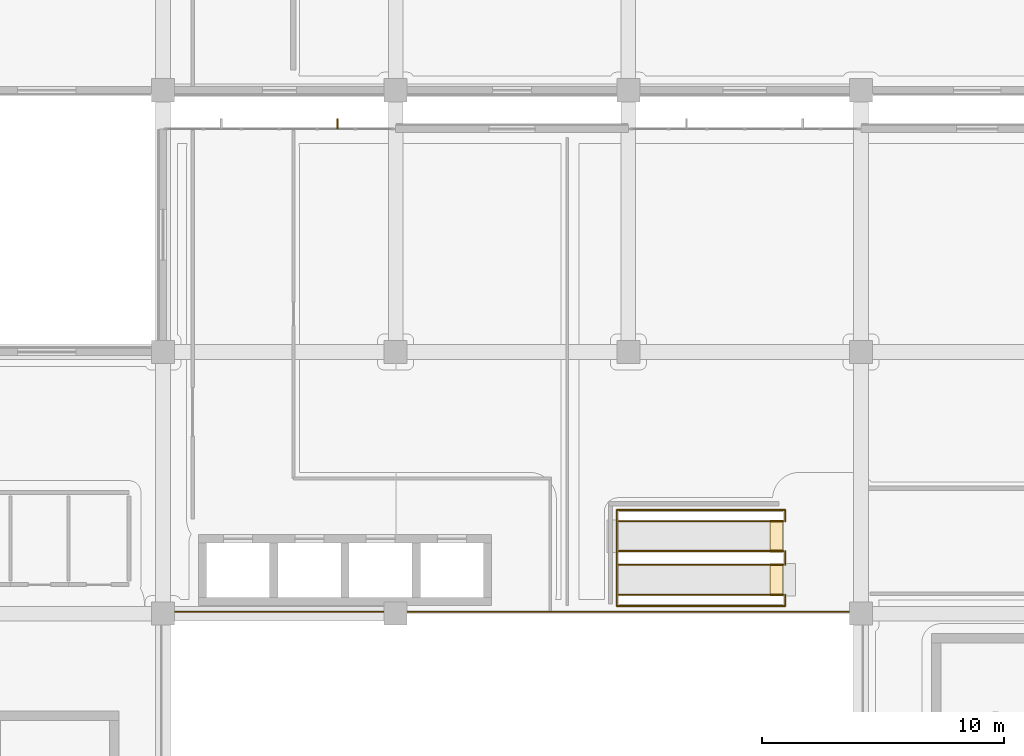
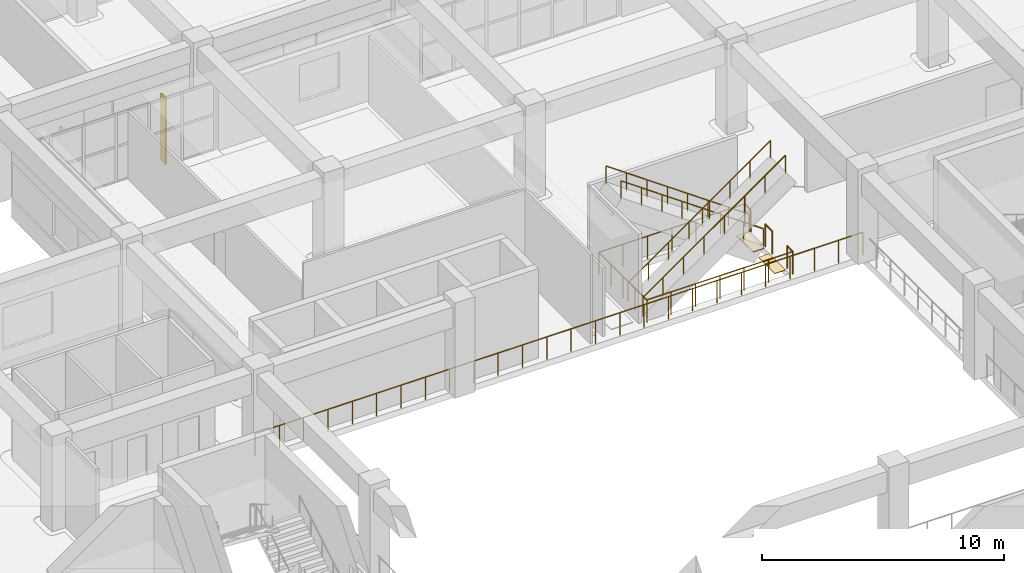
# One storey, part 70 of 86: 11 railings, 2 coverings, 1 shading device.
"""IFC4 building model written with IfcOpenShell, lengths in metres."""

from ifc_helpers import new_model, si_unit, direction, frame, origin, origin_2d, place, context, subcontext, project, spatial, polyline, rectangle, circle, outline, extrude, material, layer, layer_set, type_object, element, save


model = new_model("IFC4")

# Units and contexts
model_context = context("Model", 3, precision=1e-05, world=origin(), true_north=direction((0.0, 1.0)))
body_context = subcontext(model_context, "Body", "Model", "MODEL_VIEW")
ifc_project = project(units=[si_unit("LENGTHUNIT", "METRE"), si_unit("AREAUNIT", "SQUARE_METRE"), si_unit("VOLUMEUNIT", "CUBIC_METRE"), si_unit("PLANEANGLEUNIT", "RADIAN"), si_unit("MASSUNIT", "GRAM", prefix="KILO")], contexts=[model_context])

# Site, building, storey
site_placement = place(None, origin())
site = spatial("IfcSite", under=ifc_project, at=site_placement, CompositionType="ELEMENT")
building_placement = place(site_placement, origin())
building = spatial("IfcBuilding", under=site, at=building_placement, Name="Cendralis Terraced Arcade", CompositionType="ELEMENT")
storey_placement = place(building_placement, frame((0.0, 0.0, 5.39990234375)))
storey = spatial("IfcBuildingStorey", under=building, at=storey_placement, Name="L01", CompositionType="ELEMENT", Elevation=5.39990234375)

# Coverings
ifc_material_1 = material(Name="Polished Bogota limestone terrazzo flooring", Category="masonry")
ifc_layer = layer(ifc_material_1, 0.030029296875, Name="COV-FLR-TERZ-30")
ifc_layer_set = layer_set([ifc_layer], Name="Polished Bogota limestone terrazzo flooring")
covering_type = type_object("IfcCoveringType", Name="COV-FLR-TERZ-30", PredefinedType="FLOORING", material=ifc_layer_set)
covering_1_placement = place(storey_placement, frame((0.0, 0.0, -0.02978515625)))
element("IfcCovering", 1, at=covering_1_placement, inside=storey, type_object=covering_type, Name="Escalator Landing Comb-Plate Finish L01-01", PredefinedType="FLOORING", context=body_context, shape_type="SweptSolid", body=[
    extrude(outline(polyline([(44.25, 39.125), (44.77490234375, 39.125), (44.77490234375, 40.47509765625), (44.25, 40.47509765625), (44.25, 39.125)])), origin(), (0.0, 0.0, 1.0), 0.02978515625),
])
covering_2_placement = place(storey_placement, frame((0.0, 0.0, -0.02978515625)))
element("IfcCovering", 2, at=covering_2_placement, inside=storey, type_object=covering_type, Name="Escalator Landing Comb-Plate Finish L01-02", PredefinedType="FLOORING", context=body_context, shape_type="SweptSolid", body=[
    extrude(outline(polyline([(44.25, 40.925048828125), (44.77490234375, 40.925048828125), (44.77490234375, 42.27490234375), (44.25, 42.27490234375), (44.25, 40.925048828125)])), origin(), (0.0, 0.0, 1.0), 0.02978515625),
])

# Railings
ifc_material_2 = material(Name="Brushed stainless steel AISI 316", Category="steel")
railing_type_1 = type_object("IfcRailingType", Name="RL-ESC-HAND-950", PredefinedType="HANDRAIL", material=ifc_material_2)
for number, where, name in (
    (3, (38.0, 39.18505859375, 0.0), "Escalator Balustrade Handrail ESC-03-1"),
    (4, (38.0, 40.4150390625, 0.0), "Escalator Balustrade Handrail ESC-03-2"),
):
    element("IfcRailing", number, at=place(storey_placement, frame(where)), inside=storey, type_object=railing_type_1, Name=name, PredefinedType="HANDRAIL", context=body_context, shape_type="SweptSolid", body=[
        extrude(circle(Radius=0.02392578125, at=origin_2d()), frame((0.0, 0.0, 0.92578125), z_axis=(0.816967050385, 0.0, 0.576684349177), x_axis=(0.0, 1.0, 0.0)), (0.0, 0.0, 1.0), 8.323486328125),
        extrude(circle(Radius=0.02099609375, at=origin_2d()), origin(), (0.0, 0.0, 1.0), 0.90185546875),
        extrude(circle(Radius=0.02099609375, at=origin_2d()), frame((0.971435546875, 0.0, 0.685791015625)), (0.0, 0.0, 1.0), 0.90185546875),
        extrude(circle(Radius=0.02099609375, at=origin_2d()), frame((1.94287109375, 0.0, 1.371337890625)), (0.0, 0.0, 1.0), 0.90185546875),
        extrude(circle(Radius=0.02099609375, at=origin_2d()), frame((2.914306640625, 0.0, 2.05712890625)), (0.0, 0.0, 1.0), 0.90185546875),
        extrude(circle(Radius=0.02099609375, at=origin_2d()), frame((3.8857421875, 0.0, 2.742919921875)), (0.0, 0.0, 1.0), 0.90185546875),
        extrude(circle(Radius=0.02099609375, at=origin_2d()), frame((4.857177734375, 0.0, 3.4287109375)), (0.0, 0.0, 1.0), 0.90185546875),
        extrude(circle(Radius=0.02099609375, at=origin_2d()), frame((5.82861328125, 0.0, 4.1142578125)), (0.0, 0.0, 1.0), 0.90185546875),
        extrude(circle(Radius=0.02099609375, at=origin_2d()), frame((6.800048828125, 0.0, 4.800048828125)), (0.0, 0.0, 1.0), 0.90185546875),
    ])
for number, where, name in (
    (5, (44.800048828125, 40.985107421875, 0.0), "Escalator Balustrade Handrail ESC-04-1"),
    (6, (44.800048828125, 42.215087890625, 0.0), "Escalator Balustrade Handrail ESC-04-2"),
):
    element("IfcRailing", number, at=place(storey_placement, frame(where)), inside=storey, type_object=railing_type_1, Name=name, PredefinedType="HANDRAIL", context=body_context, shape_type="SweptSolid", body=[
        extrude(circle(Radius=0.02392578125, at=origin_2d()), frame((0.0, 0.0, 0.92578125), z_axis=(-0.816967050385, 0.0, 0.576684349177), x_axis=(0.0, -1.0, 0.0)), (0.0, 0.0, 1.0), 8.323486328125),
        extrude(circle(Radius=0.02099609375, at=origin_2d()), origin(), (0.0, 0.0, 1.0), 0.90185546875),
        extrude(circle(Radius=0.02099609375, at=origin_2d()), frame((-0.971435546875, 0.0, 0.685791015625)), (0.0, 0.0, 1.0), 0.90185546875),
        extrude(circle(Radius=0.02099609375, at=origin_2d()), frame((-1.94287109375, 0.0, 1.371337890625)), (0.0, 0.0, 1.0), 0.90185546875),
        extrude(circle(Radius=0.02099609375, at=origin_2d()), frame((-2.914306640625, 0.0, 2.05712890625)), (0.0, 0.0, 1.0), 0.90185546875),
        extrude(circle(Radius=0.02099609375, at=origin_2d()), frame((-3.8857421875, 0.0, 2.742919921875)), (0.0, 0.0, 1.0), 0.90185546875),
        extrude(circle(Radius=0.02099609375, at=origin_2d()), frame((-4.857177734375, 0.0, 3.4287109375)), (0.0, 0.0, 1.0), 0.90185546875),
        extrude(circle(Radius=0.02099609375, at=origin_2d()), frame((-5.82861328125, 0.0, 4.1142578125)), (0.0, 0.0, 1.0), 0.90185546875),
        extrude(circle(Radius=0.02099609375, at=origin_2d()), frame((-6.800048828125, 0.0, 4.800048828125)), (0.0, 0.0, 1.0), 0.90185546875),
    ])
railing_type_2 = type_object("IfcRailingType", Name="RL-VOID-BAL-1150", PredefinedType="BALUSTRADE", material=ifc_material_2)
railing_1_placement = place(storey_placement, frame((44.8798828125, 38.719970703125, 0.0)))
element("IfcRailing", 7, at=railing_1_placement, inside=storey, type_object=railing_type_2, Name="Escalator Well Deck-Edge Balustrade L01-001", PredefinedType="BALUSTRADE", context=body_context, shape_type="SweptSolid", body=[
    extrude(circle(Radius=0.02392578125, at=origin_2d()), frame((0.0, 0.0, 1.1259765625), z_axis=(-1.0, 0.0, 0.0), x_axis=(0.0, -1.0, 0.0)), (0.0, 0.0, 1.0), 6.9599609375),
    extrude(circle(Radius=0.02099609375, at=origin_2d()), origin(), (0.0, 0.0, 1.0), 1.101806640625),
    extrude(circle(Radius=0.02099609375, at=origin_2d()), frame((-1.159912109375, 0.0, 0.0)), (0.0, 0.0, 1.0), 1.101806640625),
    extrude(circle(Radius=0.02099609375, at=origin_2d()), frame((-2.320068359375, 0.0, 0.0)), (0.0, 0.0, 1.0), 1.101806640625),
    extrude(circle(Radius=0.02099609375, at=origin_2d()), frame((-3.47998046875, 0.0, 0.0)), (0.0, 0.0, 1.0), 1.101806640625),
    extrude(circle(Radius=0.02099609375, at=origin_2d()), frame((-4.639892578125, 0.0, 0.0)), (0.0, 0.0, 1.0), 1.101806640625),
    extrude(circle(Radius=0.02099609375, at=origin_2d()), frame((-5.800048828125, 0.0, 0.0)), (0.0, 0.0, 1.0), 1.101806640625),
    extrude(circle(Radius=0.02099609375, at=origin_2d()), frame((-6.9599609375, 0.0, 0.0)), (0.0, 0.0, 1.0), 1.101806640625),
])
railing_2_placement = place(storey_placement, frame((37.919921875, 38.719970703125, 0.0)))
element("IfcRailing", 8, at=railing_2_placement, inside=storey, type_object=railing_type_2, Name="Escalator Well Deck-Edge Balustrade L01-002", PredefinedType="BALUSTRADE", context=body_context, shape_type="SweptSolid", body=[
    extrude(circle(Radius=0.02392578125, at=origin_2d()), frame((0.0, 0.0, 1.1259765625), z_axis=(0.0, 1.0, 0.0), x_axis=(-1.0, 0.0, 0.0)), (0.0, 0.0, 1.0), 3.9599609375),
    extrude(circle(Radius=0.02099609375, at=origin_2d()), origin(), (0.0, 0.0, 1.0), 1.101806640625),
    extrude(circle(Radius=0.02099609375, at=origin_2d()), frame((0.0, 0.989990234375, 0.0)), (0.0, 0.0, 1.0), 1.101806640625),
    extrude(circle(Radius=0.02099609375, at=origin_2d()), frame((0.0, 1.97998046875, 0.0)), (0.0, 0.0, 1.0), 1.101806640625),
    extrude(circle(Radius=0.02099609375, at=origin_2d()), frame((0.0, 2.969970703125, 0.0)), (0.0, 0.0, 1.0), 1.101806640625),
    extrude(circle(Radius=0.02099609375, at=origin_2d()), frame((0.0, 3.9599609375, 0.0)), (0.0, 0.0, 1.0), 1.101806640625),
])
railing_3_placement = place(storey_placement, frame((37.919921875, 42.679931640625, 0.0)))
element("IfcRailing", 9, at=railing_3_placement, inside=storey, type_object=railing_type_2, Name="Escalator Well Deck-Edge Balustrade L01-003", PredefinedType="BALUSTRADE", context=body_context, shape_type="SweptSolid", body=[
    extrude(circle(Radius=0.02392578125, at=origin_2d()), frame((0.0, 0.0, 1.1259765625), z_axis=(1.0, 0.0, 0.0), x_axis=(0.0, 1.0, 0.0)), (0.0, 0.0, 1.0), 6.9599609375),
    extrude(circle(Radius=0.02099609375, at=origin_2d()), origin(), (0.0, 0.0, 1.0), 1.101806640625),
    extrude(circle(Radius=0.02099609375, at=origin_2d()), frame((1.159912109375, 0.0, 0.0)), (0.0, 0.0, 1.0), 1.101806640625),
    extrude(circle(Radius=0.02099609375, at=origin_2d()), frame((2.320068359375, 0.0, 0.0)), (0.0, 0.0, 1.0), 1.101806640625),
    extrude(circle(Radius=0.02099609375, at=origin_2d()), frame((3.47998046875, 0.0, 0.0)), (0.0, 0.0, 1.0), 1.101806640625),
    extrude(circle(Radius=0.02099609375, at=origin_2d()), frame((4.639892578125, 0.0, 0.0)), (0.0, 0.0, 1.0), 1.101806640625),
    extrude(circle(Radius=0.02099609375, at=origin_2d()), frame((5.800048828125, 0.0, 0.0)), (0.0, 0.0, 1.0), 1.101806640625),
    extrude(circle(Radius=0.02099609375, at=origin_2d()), frame((6.9599609375, 0.0, 0.0)), (0.0, 0.0, 1.0), 1.101806640625),
])
railing_4_placement = place(storey_placement, frame((44.8798828125, 38.719970703125, 0.0)))
element("IfcRailing", 10, at=railing_4_placement, inside=storey, type_object=railing_type_2, Name="Escalator Well Deck-Edge Balustrade L01-004", PredefinedType="BALUSTRADE", context=body_context, shape_type="SweptSolid", body=[
    extrude(circle(Radius=0.02392578125, at=origin_2d()), frame((0.0, 0.0, 1.1259765625), z_axis=(0.0, 1.0, 0.0), x_axis=(-1.0, 0.0, 0.0)), (0.0, 0.0, 1.0), 0.465087890625),
    extrude(circle(Radius=0.02099609375, at=origin_2d()), origin(), (0.0, 0.0, 1.0), 1.101806640625),
    extrude(circle(Radius=0.02099609375, at=origin_2d()), frame((0.0, 0.465087890625, 0.0)), (0.0, 0.0, 1.0), 1.101806640625),
])
railing_5_placement = place(storey_placement, frame((44.8798828125, 40.4150390625, 0.0)))
element("IfcRailing", 11, at=railing_5_placement, inside=storey, type_object=railing_type_2, Name="Escalator Well Deck-Edge Balustrade L01-005", PredefinedType="BALUSTRADE", context=body_context, shape_type="SweptSolid", body=[
    extrude(circle(Radius=0.02392578125, at=origin_2d()), frame((0.0, 0.0, 1.1259765625), z_axis=(0.0, 1.0, 0.0), x_axis=(-1.0, 0.0, 0.0)), (0.0, 0.0, 1.0), 0.570068359375),
    extrude(circle(Radius=0.02099609375, at=origin_2d()), origin(), (0.0, 0.0, 1.0), 1.101806640625),
    extrude(circle(Radius=0.02099609375, at=origin_2d()), frame((0.0, 0.570068359375, 0.0)), (0.0, 0.0, 1.0), 1.101806640625),
])
railing_6_placement = place(storey_placement, frame((44.8798828125, 42.215087890625, 0.0)))
element("IfcRailing", 12, at=railing_6_placement, inside=storey, type_object=railing_type_2, Name="Escalator Well Deck-Edge Balustrade L01-006", PredefinedType="BALUSTRADE", context=body_context, shape_type="SweptSolid", body=[
    extrude(circle(Radius=0.02392578125, at=origin_2d()), frame((0.0, 0.0, 1.1259765625), z_axis=(0.0, 1.0, 0.0), x_axis=(-1.0, 0.0, 0.0)), (0.0, 0.0, 1.0), 0.46484375),
    extrude(circle(Radius=0.02099609375, at=origin_2d()), origin(), (0.0, 0.0, 1.0), 1.101806640625),
    extrude(circle(Radius=0.02099609375, at=origin_2d()), frame((0.0, 0.46484375, 0.0)), (0.0, 0.0, 1.0), 1.101806640625),
])
railing_7_placement = place(storey_placement, frame((48.080078125, 38.47998046875, 0.0)))
element("IfcRailing", 13, at=railing_7_placement, inside=storey, type_object=railing_type_2, Name="Atrium and Arcade Gallery Balustrade L01-038", PredefinedType="BALUSTRADE", context=body_context, shape_type="SweptSolid", body=[
    extrude(circle(Radius=0.02392578125, at=origin_2d()), frame((0.0, 0.0, 1.1259765625), z_axis=(-1.0, 0.0, 0.0), x_axis=(0.0, -1.0, 0.0)), (0.0, 0.0, 1.0), 28.9599609375),
    extrude(circle(Radius=0.02099609375, at=origin_2d()), origin(), (0.0, 0.0, 1.0), 1.101806640625),
    extrude(circle(Radius=0.02099609375, at=origin_2d()), frame((-1.158447265625, 0.0, 0.0)), (0.0, 0.0, 1.0), 1.101806640625),
    extrude(circle(Radius=0.02099609375, at=origin_2d()), frame((-2.31689453125, 0.0, 0.0)), (0.0, 0.0, 1.0), 1.101806640625),
    extrude(circle(Radius=0.02099609375, at=origin_2d()), frame((-3.47509765625, 0.0, 0.0)), (0.0, 0.0, 1.0), 1.101806640625),
    extrude(circle(Radius=0.02099609375, at=origin_2d()), frame((-4.633544921875, 0.0, 0.0)), (0.0, 0.0, 1.0), 1.101806640625),
    extrude(circle(Radius=0.02099609375, at=origin_2d()), frame((-5.7919921875, 0.0, 0.0)), (0.0, 0.0, 1.0), 1.101806640625),
    extrude(circle(Radius=0.02099609375, at=origin_2d()), frame((-6.950439453125, 0.0, 0.0)), (0.0, 0.0, 1.0), 1.101806640625),
    extrude(circle(Radius=0.02099609375, at=origin_2d()), frame((-8.10888671875, 0.0, 0.0)), (0.0, 0.0, 1.0), 1.101806640625),
    extrude(circle(Radius=0.02099609375, at=origin_2d()), frame((-9.26708984375, 0.0, 0.0)), (0.0, 0.0, 1.0), 1.101806640625),
    extrude(circle(Radius=0.02099609375, at=origin_2d()), frame((-10.425537109375, 0.0, 0.0)), (0.0, 0.0, 1.0), 1.101806640625),
    extrude(circle(Radius=0.02099609375, at=origin_2d()), frame((-11.583984375, 0.0, 0.0)), (0.0, 0.0, 1.0), 1.101806640625),
    extrude(circle(Radius=0.02099609375, at=origin_2d()), frame((-12.742431640625, 0.0, 0.0)), (0.0, 0.0, 1.0), 1.101806640625),
    extrude(circle(Radius=0.02099609375, at=origin_2d()), frame((-13.90087890625, 0.0, 0.0)), (0.0, 0.0, 1.0), 1.101806640625),
    extrude(circle(Radius=0.02099609375, at=origin_2d()), frame((-15.05908203125, 0.0, 0.0)), (0.0, 0.0, 1.0), 1.101806640625),
    extrude(circle(Radius=0.02099609375, at=origin_2d()), frame((-16.217529296875, 0.0, 0.0)), (0.0, 0.0, 1.0), 1.101806640625),
    extrude(circle(Radius=0.02099609375, at=origin_2d()), frame((-17.3759765625, 0.0, 0.0)), (0.0, 0.0, 1.0), 1.101806640625),
    extrude(circle(Radius=0.02099609375, at=origin_2d()), frame((-18.534423828125, 0.0, 0.0)), (0.0, 0.0, 1.0), 1.101806640625),
    extrude(circle(Radius=0.02099609375, at=origin_2d()), frame((-19.69287109375, 0.0, 0.0)), (0.0, 0.0, 1.0), 1.101806640625),
    extrude(circle(Radius=0.02099609375, at=origin_2d()), frame((-20.85107421875, 0.0, 0.0)), (0.0, 0.0, 1.0), 1.101806640625),
    extrude(circle(Radius=0.02099609375, at=origin_2d()), frame((-22.009521484375, 0.0, 0.0)), (0.0, 0.0, 1.0), 1.101806640625),
    extrude(circle(Radius=0.02099609375, at=origin_2d()), frame((-23.16796875, 0.0, 0.0)), (0.0, 0.0, 1.0), 1.101806640625),
    extrude(circle(Radius=0.02099609375, at=origin_2d()), frame((-24.326416015625, 0.0, 0.0)), (0.0, 0.0, 1.0), 1.101806640625),
    extrude(circle(Radius=0.02099609375, at=origin_2d()), frame((-25.48486328125, 0.0, 0.0)), (0.0, 0.0, 1.0), 1.101806640625),
    extrude(circle(Radius=0.02099609375, at=origin_2d()), frame((-26.64306640625, 0.0, 0.0)), (0.0, 0.0, 1.0), 1.101806640625),
    extrude(circle(Radius=0.02099609375, at=origin_2d()), frame((-27.801513671875, 0.0, 0.0)), (0.0, 0.0, 1.0), 1.101806640625),
    extrude(circle(Radius=0.02099609375, at=origin_2d()), frame((-28.9599609375, 0.0, 0.0)), (0.0, 0.0, 1.0), 1.101806640625),
])

# Shading device
ifc_material_3 = material(Name="Anodised aluminium EN AW-6063 T6", Category="aluminium")
shading_device_type = type_object("IfcShadingDeviceType", Name="SHD-FIN-420", PredefinedType="USERDEFINED", material=ifc_material_3)
shading_device_placement = place(storey_placement, frame((26.39990234375, 58.614990234375, 0.05029296875), z_axis=(0.0, 0.0, 1.0), x_axis=(1.0, 0.0, 0.0)))
element("IfcShadingDevice", 14, at=shading_device_placement, inside=storey, type_object=shading_device_type, Name="Parametric Vertical Solar Fin FIN-L01-034", ObjectType="FIN", PredefinedType="USERDEFINED", context=body_context, shape_type="SweptSolid", body=[
    extrude(rectangle(XDim=0.074951171875, YDim=0.419921875, at=origin_2d()), origin(), (0.0, 0.0, 1.0), 3.344970703125),
])

save(model, "model.ifc")
